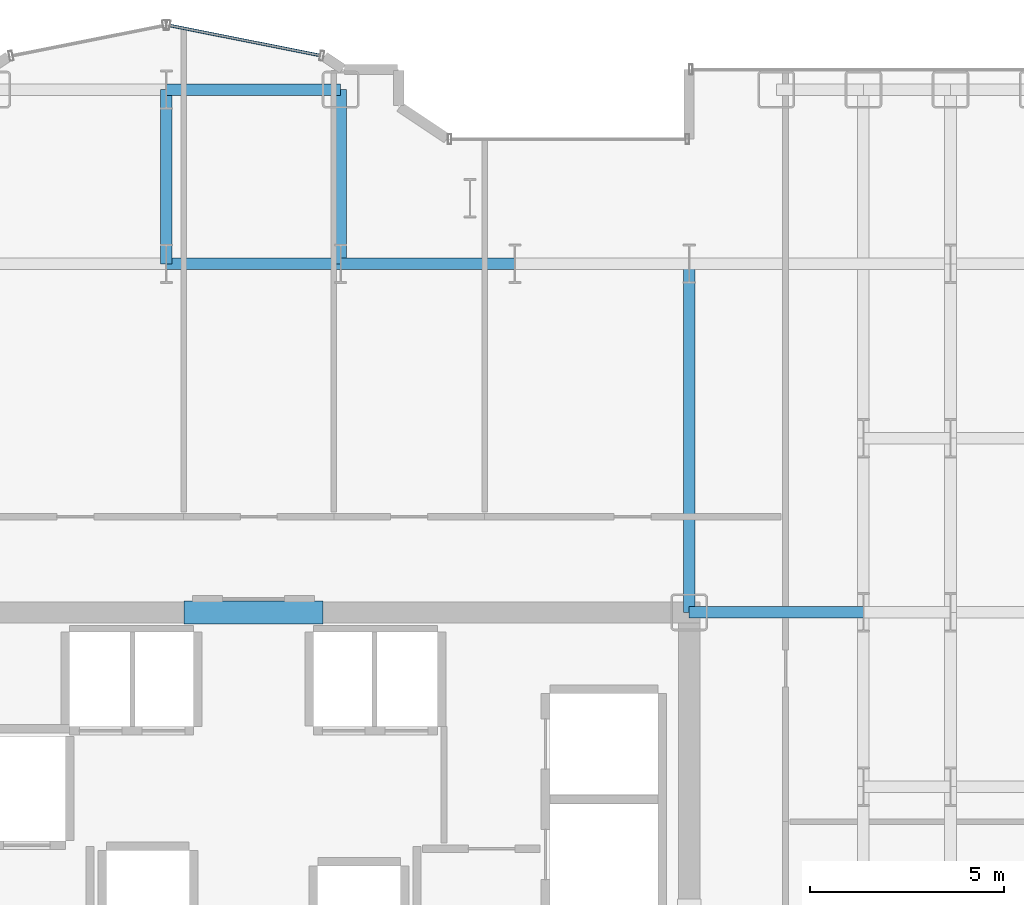
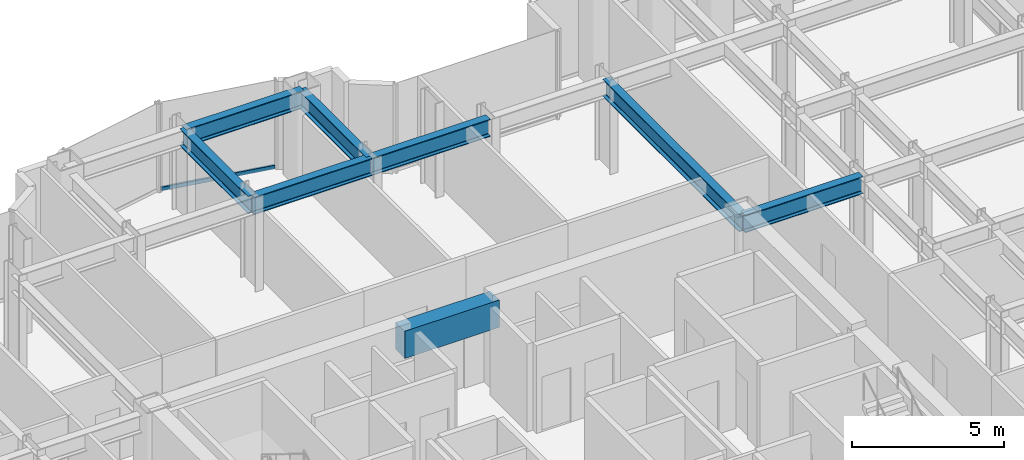
# One storey, part 11 of 26: 8 beams, 1 member, 1 element without a shape of its own.
"""IFC4 building model written with IfcOpenShell, lengths in metres."""

from ifc_helpers import new_model, si_unit, direction, frame, origin, origin_2d, place, context, subcontext, project, spatial, rectangle, hollow_rectangle, i_section, extrude, source, transform, mapped, material, layer, layer_set, material_profile, profile_set, type_object, element, aggregate, save


model = new_model("IFC4")

# Units and contexts
model_context = context("Model", 3, precision=1e-05, world=origin(), true_north=direction((0.0, 1.0)))
body_context = subcontext(model_context, "Body", "Model", "MODEL_VIEW")
ifc_project = project(units=[si_unit("LENGTHUNIT", "METRE"), si_unit("AREAUNIT", "SQUARE_METRE"), si_unit("VOLUMEUNIT", "CUBIC_METRE"), si_unit("PLANEANGLEUNIT", "RADIAN"), si_unit("MASSUNIT", "GRAM", prefix="KILO")], contexts=[model_context])

# Site, building, storey
site_placement = place(None, origin())
site = spatial("IfcSite", under=ifc_project, at=site_placement, CompositionType="ELEMENT")
building_placement = place(site_placement, origin())
building = spatial("IfcBuilding", under=site, at=building_placement, Name="Nefas-Gora Pilgrimage Tower", CompositionType="ELEMENT")
storey_placement = place(building_placement, frame((0.0, 0.0, 106.0)))
storey = spatial("IfcBuildingStorey", under=building, at=storey_placement, Name="L25", CompositionType="ELEMENT", Elevation=106.0)

# Beams
ifc_material_1 = material(Name="Concrete C60/75", Category="concrete")
ifc_material_profile_1 = material_profile(ifc_material_1, rectangle(XDim=0.60009765625, YDim=1.10009765625, at=origin_2d()), Name="RC 600x1100")
ifc_profile_set_1 = profile_set([ifc_material_profile_1], Name="Concrete C60/75")
beam_type_1 = type_object("IfcBeamType", Name="BM-LIN-RC1100", PredefinedType="LINTEL", material=ifc_profile_set_1)
shared_shape_1 = source(origin(), body_context, "Body", "SweptSolid", [
    extrude(rectangle(XDim=0.60009765625, YDim=1.10009765625, at=origin_2d()), origin(), (0.0, 0.0, 1.0), 3.60009765625),
])
beam_1_placement = place(storey_placement, frame((-1.800048828125, 9.0, 3.0), z_axis=(1.0, 0.0, 0.0), x_axis=(0.0, 1.0, 0.0)))
element("IfcBeam", 1, at=beam_1_placement, inside=storey, type_object=beam_type_1, Name="L25 Core Coupling Lintel Beam N", PredefinedType="LINTEL", context=body_context, shape_type="MappedRepresentation", body=[
    mapped(shared_shape_1, transform((0.0, 0.0, 0.0), x_axis=(1.0, 0.0, 0.0), y_axis=(0.0, 1.0, 0.0), z_axis=(0.0, 0.0, 1.0), scale=1.0)),
])
ifc_material_2 = material(Name="Steel S355", Category="steel")
ifc_material_profile_2 = material_profile(ifc_material_2, i_section(OverallWidth=0.300048828125, OverallDepth=0.699951171875, WebThickness=0.01708984375, FlangeThickness=0.031982421875, FilletRadius=0.027099609375, at=origin_2d()), Name="HEB 700")
ifc_profile_set_2 = profile_set([ifc_material_profile_2], Name="Steel S355")
beam_type_2 = type_object("IfcBeamType", Name="BM-GIR-HEB700", PredefinedType="BEAM", material=ifc_profile_set_2)
shared_shape_2 = source(origin(), body_context, "Body", "SweptSolid", [
    extrude(i_section(OverallWidth=0.300048828125, OverallDepth=0.699951171875, WebThickness=0.01708984375, FlangeThickness=0.031982421875, FilletRadius=0.027099609375, at=origin_2d()), origin(), (0.0, 0.0, 1.0), 9.0),
])
beam_2_placement = place(storey_placement, frame((11.25, 9.0, 3.199951171875), z_axis=(0.0, 1.0, 0.0), x_axis=(-1.0, 0.0, 0.0)))
element("IfcBeam", 2, at=beam_2_placement, inside=storey, type_object=beam_type_2, Name="L25 G-02 beam", PredefinedType="BEAM", context=body_context, shape_type="MappedRepresentation", body=[
    mapped(shared_shape_2, transform((0.0, 0.0, 0.0), x_axis=(1.0, 0.0, 0.0), y_axis=(0.0, 1.0, 0.0), z_axis=(0.0, 0.0, 1.0), scale=1.0)),
])
shared_shape_3 = source(origin(), body_context, "Body", "SweptSolid", [
    extrude(i_section(OverallWidth=0.300048828125, OverallDepth=0.699951171875, WebThickness=0.01708984375, FlangeThickness=0.031982421875, FilletRadius=0.027099609375, at=origin_2d()), origin(), (0.0, 0.0, 1.0), 4.5),
])
for number, where, z_axis, x_axis, name in (
    (3, (-2.25, 18.0, 3.199951171875), (0.0, 1.0, 0.0), (-1.0, 0.0, 0.0), "L25 G-02 beam"),
    (4, (-2.25, 18.0, 3.199951171875), (1.0, 0.0, 0.0), (0.0, 1.0, 0.0), "L25 G-02 beam"),
    (5, (-2.25, 22.5, 3.199951171875), (1.0, 0.0, 0.0), (0.0, 1.0, 0.0), "L25 G-02 beam"),
    (6, (2.25, 18.0, 3.199951171875), (0.0, 1.0, 0.0), (-1.0, 0.0, 0.0), "L25 G-02 beam"),
    (7, (2.25, 18.0, 3.199951171875), (1.0, 0.0, 0.0), (0.0, 1.0, 0.0), "L25 G-02 beam"),
    (8, (11.25, 9.0, 3.199951171875), (1.0, 0.0, 0.0), (0.0, 1.0, 0.0), "L25 G-02 beam"),
):
    element("IfcBeam", number, at=place(storey_placement, frame(where, z_axis=z_axis, x_axis=x_axis)), inside=storey, type_object=beam_type_2, Name=name, PredefinedType="BEAM", context=body_context, shape_type="MappedRepresentation", body=[
        mapped(shared_shape_3, transform((0.0, 0.0, 0.0), x_axis=(1.0, 0.0, 0.0), y_axis=(0.0, 1.0, 0.0), z_axis=(0.0, 0.0, 1.0), scale=1.0)),
    ])

# Curtain wall, member
ifc_material_3 = material(Name="Dark ceramic-fritted solar-control aluminium-glass curtain wall", Category="aluminium")
ifc_layer = layer(ifc_material_3, 0.219970703125)
ifc_layer_set = layer_set([ifc_layer], Name="Dark ceramic-fritted solar-control aluminium-glass curtain wall")
curtain_wall_type = type_object("IfcCurtainWallType", Name="CW-SYS-5", PredefinedType="NOTDEFINED", material=ifc_layer_set)
curtain_wall_placement = place(storey_placement, origin())
curtain_wall = element("IfcCurtainWall", 9, at=curtain_wall_placement, inside=storey, type_object=curtain_wall_type, Name="L25 Unitised Curtain Wall CW5", PredefinedType="NOTDEFINED")
ifc_material_4 = material(Name="Anodised architectural aluminium", Category="aluminium")
ifc_material_profile_3 = material_profile(ifc_material_4, hollow_rectangle(XDim=0.080078125, YDim=0.159912109375, WallThickness=0.00439453125, InnerFilletRadius=0.00439453125, OuterFilletRadius=0.009033203125, at=origin_2d()), Name="ALU TRANSOM 80x160")
ifc_profile_set_3 = profile_set([ifc_material_profile_3], Name="Anodised architectural aluminium")
member_type = type_object("IfcMemberType", Name="CWM-TRN-5", PredefinedType="USERDEFINED", material=ifc_profile_set_3)
shared_shape_4 = source(origin(), body_context, "Body", "SweptSolid", [
    extrude(hollow_rectangle(XDim=0.080078125, YDim=0.159912109375, WallThickness=0.00439453125, InnerFilletRadius=0.00439453125, OuterFilletRadius=0.009033203125, at=origin_2d()), origin(), (0.0, 0.0, 1.0), 3.95654296875),
])
member_placement = place(storey_placement, frame((1.718994140625, 23.3828125, 0.050048828125), z_axis=(-0.980781880918, 0.195107411605, 0.0), x_axis=(-0.195107411605, -0.980781880918, 0.0)))
member = element("IfcMember", 10, at=member_placement, type_object=member_type, Name="CW5 Spandrel Transom", ObjectType="TRANSOM", PredefinedType="USERDEFINED", context=body_context, shape_type="MappedRepresentation", body=[
    mapped(shared_shape_4, transform((0.0, 0.0, 0.0), x_axis=(1.0, 0.0, 0.0), y_axis=(0.0, 1.0, 0.0), z_axis=(0.0, 0.0, 1.0), scale=1.0)),
])
aggregate(curtain_wall, [member])

save(model, "model.ifc")
